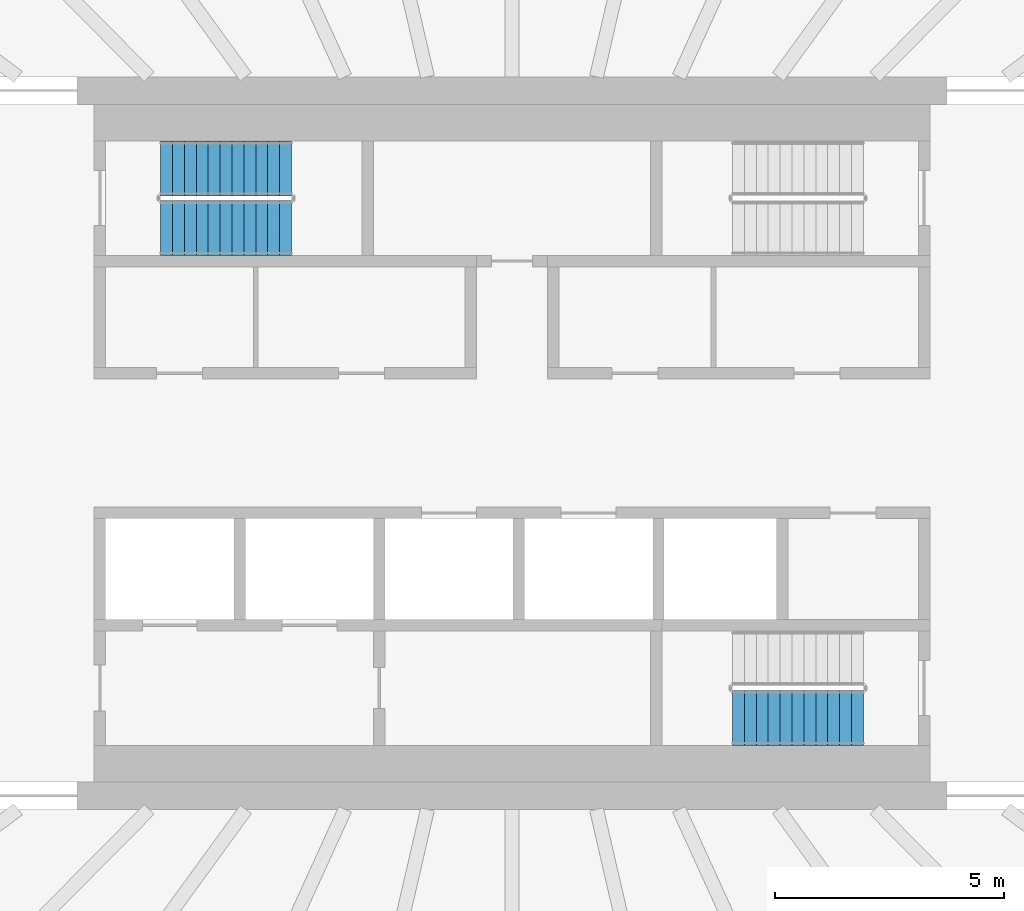
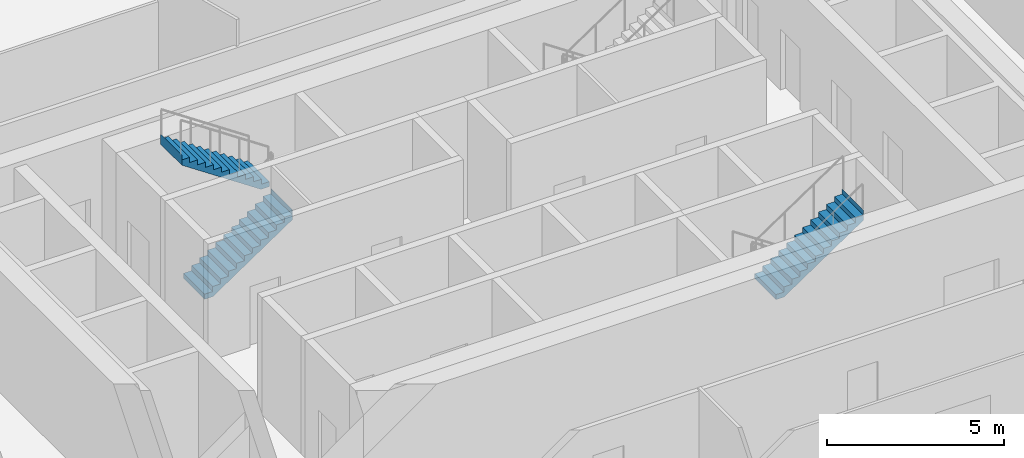
# One storey, part 19 of 26: 3 stair flights, 2 elements without a shape of their own.
"""IFC4 building model written with IfcOpenShell, lengths in metres."""

from ifc_helpers import new_model, si_unit, direction, frame, origin, place, context, subcontext, project, spatial, triangles, material, type_object, element, aggregate, save


model = new_model("IFC4")

# Units and contexts
model_context = context("Model", 3, precision=1e-05, world=origin(), true_north=direction((0.0, 1.0)))
body_context = subcontext(model_context, "Body", "Model", "MODEL_VIEW")
ifc_project = project(units=[si_unit("LENGTHUNIT", "METRE"), si_unit("AREAUNIT", "SQUARE_METRE"), si_unit("VOLUMEUNIT", "CUBIC_METRE"), si_unit("PLANEANGLEUNIT", "RADIAN"), si_unit("MASSUNIT", "GRAM", prefix="KILO")], contexts=[model_context])

# Site, building, storey
site_placement = place(None, origin())
site = spatial("IfcSite", under=ifc_project, at=site_placement, CompositionType="ELEMENT")
building_placement = place(site_placement, origin())
building = spatial("IfcBuilding", under=site, at=building_placement, Name="Sahrelin Media Tower", CompositionType="ELEMENT")
storey_placement = place(building_placement, frame((0.0, 0.0, 131.39990234375)))
storey = spatial("IfcBuildingStorey", under=building, at=storey_placement, Name="L26", CompositionType="ELEMENT", Elevation=131.39990234375)

# Stair, stair flights
ifc_material = material(Name="Concrete C40/50", Category="concrete")
stair_type = type_object("IfcStairType", Name="Exit stair 1200", PredefinedType="HALF_TURN_STAIR", material=ifc_material)
placement = place(storey_placement, origin())
stair_1 = element("IfcStair", 1, at=placement, inside=storey, type_object=stair_type, Name="L26 Exit stair ST1", PredefinedType="HALF_TURN_STAIR")
stair_flight_type = type_object("IfcStairFlightType", Name="Stair flight 1200", PredefinedType="STRAIGHT", material=ifc_material)
stair_flight_1_placement = place(storey_placement, frame((-7.675048828125, 4.699951171875, 0.0), z_axis=(0.0, 0.0, 1.0), x_axis=(1.0, 0.0, 0.0)))
stair_flight_1 = element("IfcStairFlight", 2, at=stair_flight_1_placement, type_object=stair_flight_type, Name="ST1 flight 1", NumberOfRisers=12, NumberOfTreads=11, PredefinedType="STRAIGHT", RiserHeight=0.175, TreadLength=0.26, context=body_context, shape_type="Tessellation", body=[
    triangles([(0.2685546875, 0.60009765625, 0.0), (0.2685546875, 0.300048828125, 0.0), (0.2685546875, 0.0, 0.0), (0.2685546875, -0.300048828125, 0.0), (0.2685546875, -0.60009765625, 0.0), (2.860107421875, 0.60009765625, 1.744384765625), (2.860107421875, 0.300048828125, 1.744384765625), (2.860107421875, 0.0, 1.744384765625), (2.860107421875, -0.300048828125, 1.744384765625), (2.860107421875, -0.60009765625, 1.744384765625), (2.860107421875, 0.60009765625, 2.10009765625), (2.860107421875, 0.300048828125, 2.10009765625), (2.860107421875, 0.0, 2.10009765625), (2.860107421875, -0.300048828125, 2.10009765625), (2.860107421875, -0.60009765625, 2.10009765625), (2.85791015625, 0.60009765625, 2.10009765625), (2.85791015625, 0.300048828125, 2.10009765625), (2.85791015625, 0.0, 2.10009765625), (2.85791015625, -0.300048828125, 2.10009765625), (2.85791015625, -0.60009765625, 2.10009765625), (2.85791015625, 0.60009765625, 1.925048828125), (2.85791015625, 0.300048828125, 1.925048828125), (2.85791015625, 0.0, 1.925048828125), (2.85791015625, -0.300048828125, 1.925048828125), (2.85791015625, -0.60009765625, 1.925048828125), (2.60009765625, 0.60009765625, 1.925048828125), (2.60009765625, 0.300048828125, 1.925048828125), (2.60009765625, 0.0, 1.925048828125), (2.60009765625, -0.300048828125, 1.925048828125), (2.60009765625, -0.60009765625, 1.925048828125), (2.60009765625, 0.60009765625, 1.75), (2.60009765625, 0.300048828125, 1.75), (2.60009765625, 0.0, 1.75), (2.60009765625, -0.300048828125, 1.75), (2.60009765625, -0.60009765625, 1.75), (2.340087890625, 0.60009765625, 1.75), (2.340087890625, 0.300048828125, 1.75), (2.340087890625, 0.0, 1.75), (2.340087890625, -0.300048828125, 1.75), (2.340087890625, -0.60009765625, 1.75), (2.340087890625, 0.60009765625, 1.574951171875), (2.340087890625, 0.300048828125, 1.574951171875), (2.340087890625, 0.0, 1.574951171875), (2.340087890625, -0.300048828125, 1.574951171875), (2.340087890625, -0.60009765625, 1.574951171875), (2.080078125, 0.60009765625, 1.574951171875), (2.080078125, 0.300048828125, 1.574951171875), (2.080078125, 0.0, 1.574951171875), (2.080078125, -0.300048828125, 1.574951171875), (2.080078125, -0.60009765625, 1.574951171875), (2.080078125, 0.60009765625, 1.39990234375), (2.080078125, 0.300048828125, 1.39990234375), (2.080078125, 0.0, 1.39990234375), (2.080078125, -0.300048828125, 1.39990234375), (2.080078125, -0.60009765625, 1.39990234375), (1.820068359375, 0.60009765625, 1.39990234375), (1.820068359375, 0.300048828125, 1.39990234375), (1.820068359375, 0.0, 1.39990234375), (1.820068359375, -0.300048828125, 1.39990234375), (1.820068359375, -0.60009765625, 1.39990234375), (1.820068359375, 0.60009765625, 1.22509765625), (1.820068359375, 0.300048828125, 1.22509765625), (1.820068359375, 0.0, 1.22509765625), (1.820068359375, -0.300048828125, 1.22509765625), (1.820068359375, -0.60009765625, 1.22509765625), (1.56005859375, 0.60009765625, 1.22509765625), (1.56005859375, 0.300048828125, 1.22509765625), (1.56005859375, 0.0, 1.22509765625), (1.56005859375, -0.300048828125, 1.22509765625), (1.56005859375, -0.60009765625, 1.22509765625), (1.56005859375, 0.60009765625, 1.050048828125), (1.56005859375, 0.300048828125, 1.050048828125), (1.56005859375, 0.0, 1.050048828125), (1.56005859375, -0.300048828125, 1.050048828125), (1.56005859375, -0.60009765625, 1.050048828125), (1.300048828125, 0.60009765625, 1.050048828125), (1.300048828125, 0.300048828125, 1.050048828125), (1.300048828125, 0.0, 1.050048828125), (1.300048828125, -0.300048828125, 1.050048828125), (1.300048828125, -0.60009765625, 1.050048828125), (1.300048828125, 0.60009765625, 0.875), (1.300048828125, 0.300048828125, 0.875), (1.300048828125, 0.0, 0.875), (1.300048828125, -0.300048828125, 0.875), (1.300048828125, -0.60009765625, 0.875), (1.0400390625, 0.60009765625, 0.875), (1.0400390625, 0.300048828125, 0.875), (1.0400390625, 0.0, 0.875), (1.0400390625, -0.300048828125, 0.875), (1.0400390625, -0.60009765625, 0.875), (1.0400390625, 0.60009765625, 0.699951171875), (1.0400390625, 0.300048828125, 0.699951171875), (1.0400390625, 0.0, 0.699951171875), (1.0400390625, -0.300048828125, 0.699951171875), (1.0400390625, -0.60009765625, 0.699951171875), (0.780029296875, 0.60009765625, 0.699951171875), (0.780029296875, 0.300048828125, 0.699951171875), (0.780029296875, 0.0, 0.699951171875), (0.780029296875, -0.300048828125, 0.699951171875), (0.780029296875, -0.60009765625, 0.699951171875), (0.780029296875, 0.60009765625, 0.52490234375), (0.780029296875, 0.300048828125, 0.52490234375), (0.780029296875, 0.0, 0.52490234375), (0.780029296875, -0.300048828125, 0.52490234375), (0.780029296875, -0.60009765625, 0.52490234375), (0.52001953125, 0.60009765625, 0.52490234375), (0.52001953125, 0.300048828125, 0.52490234375), (0.52001953125, 0.0, 0.52490234375), (0.52001953125, -0.300048828125, 0.52490234375), (0.52001953125, -0.60009765625, 0.52490234375), (0.52001953125, 0.60009765625, 0.35009765625), (0.52001953125, 0.300048828125, 0.35009765625), (0.52001953125, 0.0, 0.35009765625), (0.52001953125, -0.300048828125, 0.35009765625), (0.52001953125, -0.60009765625, 0.35009765625), (0.260009765625, 0.60009765625, 0.35009765625), (0.260009765625, 0.300048828125, 0.35009765625), (0.260009765625, 0.0, 0.35009765625), (0.260009765625, -0.300048828125, 0.35009765625), (0.260009765625, -0.60009765625, 0.35009765625), (0.260009765625, 0.60009765625, 0.175048828125), (0.260009765625, 0.300048828125, 0.175048828125), (0.260009765625, 0.0, 0.175048828125), (0.260009765625, -0.300048828125, 0.175048828125), (0.260009765625, -0.60009765625, 0.175048828125), (0.0, 0.60009765625, 0.175048828125), (0.0, 0.300048828125, 0.175048828125), (0.0, 0.0, 0.175048828125), (0.0, -0.300048828125, 0.175048828125), (0.0, -0.60009765625, 0.175048828125), (0.0, 0.60009765625, 0.0), (0.0, 0.300048828125, 0.0), (0.0, 0.0, 0.0), (0.0, -0.300048828125, 0.0), (0.0, -0.60009765625, 0.0)], [[1, 6, 7], [1, 7, 2], [2, 7, 8], [2, 8, 3], [3, 8, 9], [3, 9, 4], [4, 9, 10], [4, 10, 5], [6, 11, 12], [6, 12, 7], [7, 12, 13], [7, 13, 8], [8, 13, 14], [8, 14, 9], [9, 14, 15], [9, 15, 10], [11, 16, 17], [11, 17, 12], [12, 17, 18], [12, 18, 13], [13, 18, 19], [13, 19, 14], [14, 19, 20], [14, 20, 15], [16, 21, 22], [16, 22, 17], [17, 22, 23], [17, 23, 18], [18, 23, 24], [18, 24, 19], [19, 24, 25], [19, 25, 20], [21, 26, 27], [21, 27, 22], [22, 27, 28], [22, 28, 23], [23, 28, 29], [23, 29, 24], [24, 29, 30], [24, 30, 25], [26, 31, 32], [26, 32, 27], [27, 32, 33], [27, 33, 28], [28, 33, 34], [28, 34, 29], [29, 34, 35], [29, 35, 30], [31, 36, 37], [31, 37, 32], [32, 37, 38], [32, 38, 33], [33, 38, 39], [33, 39, 34], [34, 39, 40], [34, 40, 35], [36, 41, 42], [36, 42, 37], [37, 42, 43], [37, 43, 38], [38, 43, 44], [38, 44, 39], [39, 44, 45], [39, 45, 40], [41, 46, 47], [41, 47, 42], [42, 47, 48], [42, 48, 43], [43, 48, 49], [43, 49, 44], [44, 49, 50], [44, 50, 45], [46, 51, 52], [46, 52, 47], [47, 52, 53], [47, 53, 48], [48, 53, 54], [48, 54, 49], [49, 54, 55], [49, 55, 50], [51, 56, 57], [51, 57, 52], [52, 57, 58], [52, 58, 53], [53, 58, 59], [53, 59, 54], [54, 59, 60], [54, 60, 55], [56, 61, 62], [56, 62, 57], [57, 62, 63], [57, 63, 58], [58, 63, 64], [58, 64, 59], [59, 64, 65], [59, 65, 60], [61, 66, 67], [61, 67, 62], [62, 67, 68], [62, 68, 63], [63, 68, 69], [63, 69, 64], [64, 69, 70], [64, 70, 65], [66, 71, 72], [66, 72, 67], [67, 72, 73], [67, 73, 68], [68, 73, 74], [68, 74, 69], [69, 74, 75], [69, 75, 70], [71, 76, 77], [71, 77, 72], [72, 77, 78], [72, 78, 73], [73, 78, 79], [73, 79, 74], [74, 79, 80], [74, 80, 75], [76, 81, 82], [76, 82, 77], [77, 82, 83], [77, 83, 78], [78, 83, 84], [78, 84, 79], [79, 84, 85], [79, 85, 80], [81, 86, 87], [81, 87, 82], [82, 87, 88], [82, 88, 83], [83, 88, 89], [83, 89, 84], [84, 89, 90], [84, 90, 85], [86, 91, 92], [86, 92, 87], [87, 92, 93], [87, 93, 88], [88, 93, 94], [88, 94, 89], [89, 94, 95], [89, 95, 90], [91, 96, 97], [91, 97, 92], [92, 97, 98], [92, 98, 93], [93, 98, 99], [93, 99, 94], [94, 99, 100], [94, 100, 95], [96, 101, 102], [96, 102, 97], [97, 102, 103], [97, 103, 98], [98, 103, 104], [98, 104, 99], [99, 104, 105], [99, 105, 100], [101, 106, 107], [101, 107, 102], [102, 107, 108], [102, 108, 103], [103, 108, 109], [103, 109, 104], [104, 109, 110], [104, 110, 105], [106, 111, 112], [106, 112, 107], [107, 112, 113], [107, 113, 108], [108, 113, 114], [108, 114, 109], [109, 114, 115], [109, 115, 110], [111, 116, 117], [111, 117, 112], [112, 117, 118], [112, 118, 113], [113, 118, 119], [113, 119, 114], [114, 119, 120], [114, 120, 115], [116, 121, 122], [116, 122, 117], [117, 122, 123], [117, 123, 118], [118, 123, 124], [118, 124, 119], [119, 124, 125], [119, 125, 120], [121, 126, 127], [121, 127, 122], [122, 127, 128], [122, 128, 123], [123, 128, 129], [123, 129, 124], [124, 129, 130], [124, 130, 125], [126, 131, 132], [126, 132, 127], [127, 132, 133], [127, 133, 128], [128, 133, 134], [128, 134, 129], [129, 134, 135], [129, 135, 130], [131, 1, 2], [131, 2, 132], [132, 2, 3], [132, 3, 133], [133, 3, 4], [133, 4, 134], [134, 4, 5], [134, 5, 135], [125, 130, 135], [121, 131, 126], [125, 115, 120], [121, 116, 111], [115, 105, 110], [111, 106, 101], [105, 95, 100], [101, 96, 91], [95, 85, 90], [91, 86, 81], [85, 75, 80], [81, 76, 71], [75, 65, 70], [71, 66, 61], [65, 55, 60], [61, 56, 51], [55, 45, 50], [51, 46, 41], [45, 35, 40], [41, 36, 31], [35, 25, 30], [31, 26, 21], [25, 15, 20], [21, 16, 11], [135, 5, 125], [131, 121, 1], [95, 105, 5], [91, 1, 101], [5, 10, 75], [1, 71, 6], [10, 35, 45], [6, 41, 31], [25, 10, 15], [21, 11, 6], [115, 125, 5], [111, 1, 121], [75, 85, 5], [71, 1, 81], [35, 10, 25], [31, 21, 6], [105, 115, 5], [101, 1, 111], [45, 55, 10], [41, 6, 51], [85, 95, 5], [81, 1, 91], [65, 10, 55], [61, 51, 6], [10, 65, 75], [6, 71, 61]], closed=True),
])
stair_flight_2_placement = place(storey_placement, frame((-4.81494140625, 6.0, 2.10009765625), z_axis=(0.0, 0.0, 1.0), x_axis=(-1.0, 0.0, 0.0)))
stair_flight_2 = element("IfcStairFlight", 3, at=stair_flight_2_placement, type_object=stair_flight_type, Name="ST1 flight 2", NumberOfRisers=12, NumberOfTreads=11, PredefinedType="STRAIGHT", RiserHeight=0.175, TreadLength=0.26, context=body_context, shape_type="Tessellation", body=[
    triangles([(0.2685546875, 0.60009765625, 0.0), (0.2685546875, 0.300048828125, 0.0), (0.2685546875, 0.0, 0.0), (0.2685546875, -0.300048828125, 0.0), (0.2685546875, -0.60009765625, 0.0), (2.860107421875, 0.60009765625, 1.744384765625), (2.860107421875, 0.300048828125, 1.744384765625), (2.860107421875, 0.0, 1.744384765625), (2.860107421875, -0.300048828125, 1.744384765625), (2.860107421875, -0.60009765625, 1.744384765625), (2.860107421875, 0.60009765625, 2.10009765625), (2.860107421875, 0.300048828125, 2.10009765625), (2.860107421875, 0.0, 2.10009765625), (2.860107421875, -0.300048828125, 2.10009765625), (2.860107421875, -0.60009765625, 2.10009765625), (2.85791015625, 0.60009765625, 2.10009765625), (2.85791015625, 0.300048828125, 2.10009765625), (2.85791015625, 0.0, 2.10009765625), (2.85791015625, -0.300048828125, 2.10009765625), (2.85791015625, -0.60009765625, 2.10009765625), (2.85791015625, 0.60009765625, 1.925048828125), (2.85791015625, 0.300048828125, 1.925048828125), (2.85791015625, 0.0, 1.925048828125), (2.85791015625, -0.300048828125, 1.925048828125), (2.85791015625, -0.60009765625, 1.925048828125), (2.60009765625, 0.60009765625, 1.925048828125), (2.60009765625, 0.300048828125, 1.925048828125), (2.60009765625, 0.0, 1.925048828125), (2.60009765625, -0.300048828125, 1.925048828125), (2.60009765625, -0.60009765625, 1.925048828125), (2.60009765625, 0.60009765625, 1.75), (2.60009765625, 0.300048828125, 1.75), (2.60009765625, 0.0, 1.75), (2.60009765625, -0.300048828125, 1.75), (2.60009765625, -0.60009765625, 1.75), (2.340087890625, 0.60009765625, 1.75), (2.340087890625, 0.300048828125, 1.75), (2.340087890625, 0.0, 1.75), (2.340087890625, -0.300048828125, 1.75), (2.340087890625, -0.60009765625, 1.75), (2.340087890625, 0.60009765625, 1.574951171875), (2.340087890625, 0.300048828125, 1.574951171875), (2.340087890625, 0.0, 1.574951171875), (2.340087890625, -0.300048828125, 1.574951171875), (2.340087890625, -0.60009765625, 1.574951171875), (2.080078125, 0.60009765625, 1.574951171875), (2.080078125, 0.300048828125, 1.574951171875), (2.080078125, 0.0, 1.574951171875), (2.080078125, -0.300048828125, 1.574951171875), (2.080078125, -0.60009765625, 1.574951171875), (2.080078125, 0.60009765625, 1.39990234375), (2.080078125, 0.300048828125, 1.39990234375), (2.080078125, 0.0, 1.39990234375), (2.080078125, -0.300048828125, 1.39990234375), (2.080078125, -0.60009765625, 1.39990234375), (1.820068359375, 0.60009765625, 1.39990234375), (1.820068359375, 0.300048828125, 1.39990234375), (1.820068359375, 0.0, 1.39990234375), (1.820068359375, -0.300048828125, 1.39990234375), (1.820068359375, -0.60009765625, 1.39990234375), (1.820068359375, 0.60009765625, 1.22509765625), (1.820068359375, 0.300048828125, 1.22509765625), (1.820068359375, 0.0, 1.22509765625), (1.820068359375, -0.300048828125, 1.22509765625), (1.820068359375, -0.60009765625, 1.22509765625), (1.56005859375, 0.60009765625, 1.22509765625), (1.56005859375, 0.300048828125, 1.22509765625), (1.56005859375, 0.0, 1.22509765625), (1.56005859375, -0.300048828125, 1.22509765625), (1.56005859375, -0.60009765625, 1.22509765625), (1.56005859375, 0.60009765625, 1.050048828125), (1.56005859375, 0.300048828125, 1.050048828125), (1.56005859375, 0.0, 1.050048828125), (1.56005859375, -0.300048828125, 1.050048828125), (1.56005859375, -0.60009765625, 1.050048828125), (1.300048828125, 0.60009765625, 1.050048828125), (1.300048828125, 0.300048828125, 1.050048828125), (1.300048828125, 0.0, 1.050048828125), (1.300048828125, -0.300048828125, 1.050048828125), (1.300048828125, -0.60009765625, 1.050048828125), (1.300048828125, 0.60009765625, 0.875), (1.300048828125, 0.300048828125, 0.875), (1.300048828125, 0.0, 0.875), (1.300048828125, -0.300048828125, 0.875), (1.300048828125, -0.60009765625, 0.875), (1.0400390625, 0.60009765625, 0.875), (1.0400390625, 0.300048828125, 0.875), (1.0400390625, 0.0, 0.875), (1.0400390625, -0.300048828125, 0.875), (1.0400390625, -0.60009765625, 0.875), (1.0400390625, 0.60009765625, 0.699951171875), (1.0400390625, 0.300048828125, 0.699951171875), (1.0400390625, 0.0, 0.699951171875), (1.0400390625, -0.300048828125, 0.699951171875), (1.0400390625, -0.60009765625, 0.699951171875), (0.780029296875, 0.60009765625, 0.699951171875), (0.780029296875, 0.300048828125, 0.699951171875), (0.780029296875, 0.0, 0.699951171875), (0.780029296875, -0.300048828125, 0.699951171875), (0.780029296875, -0.60009765625, 0.699951171875), (0.780029296875, 0.60009765625, 0.52490234375), (0.780029296875, 0.300048828125, 0.52490234375), (0.780029296875, 0.0, 0.52490234375), (0.780029296875, -0.300048828125, 0.52490234375), (0.780029296875, -0.60009765625, 0.52490234375), (0.52001953125, 0.60009765625, 0.52490234375), (0.52001953125, 0.300048828125, 0.52490234375), (0.52001953125, 0.0, 0.52490234375), (0.52001953125, -0.300048828125, 0.52490234375), (0.52001953125, -0.60009765625, 0.52490234375), (0.52001953125, 0.60009765625, 0.35009765625), (0.52001953125, 0.300048828125, 0.35009765625), (0.52001953125, 0.0, 0.35009765625), (0.52001953125, -0.300048828125, 0.35009765625), (0.52001953125, -0.60009765625, 0.35009765625), (0.260009765625, 0.60009765625, 0.35009765625), (0.260009765625, 0.300048828125, 0.35009765625), (0.260009765625, 0.0, 0.35009765625), (0.260009765625, -0.300048828125, 0.35009765625), (0.260009765625, -0.60009765625, 0.35009765625), (0.260009765625, 0.60009765625, 0.175048828125), (0.260009765625, 0.300048828125, 0.175048828125), (0.260009765625, 0.0, 0.175048828125), (0.260009765625, -0.300048828125, 0.175048828125), (0.260009765625, -0.60009765625, 0.175048828125), (0.0, 0.60009765625, 0.175048828125), (0.0, 0.300048828125, 0.175048828125), (0.0, 0.0, 0.175048828125), (0.0, -0.300048828125, 0.175048828125), (0.0, -0.60009765625, 0.175048828125), (0.0, 0.60009765625, 0.0), (0.0, 0.300048828125, 0.0), (0.0, 0.0, 0.0), (0.0, -0.300048828125, 0.0), (0.0, -0.60009765625, 0.0)], [[1, 6, 7], [1, 7, 2], [2, 7, 8], [2, 8, 3], [3, 8, 9], [3, 9, 4], [4, 9, 10], [4, 10, 5], [6, 11, 12], [6, 12, 7], [7, 12, 13], [7, 13, 8], [8, 13, 14], [8, 14, 9], [9, 14, 15], [9, 15, 10], [11, 16, 17], [11, 17, 12], [12, 17, 18], [12, 18, 13], [13, 18, 19], [13, 19, 14], [14, 19, 20], [14, 20, 15], [16, 21, 22], [16, 22, 17], [17, 22, 23], [17, 23, 18], [18, 23, 24], [18, 24, 19], [19, 24, 25], [19, 25, 20], [21, 26, 27], [21, 27, 22], [22, 27, 28], [22, 28, 23], [23, 28, 29], [23, 29, 24], [24, 29, 30], [24, 30, 25], [26, 31, 32], [26, 32, 27], [27, 32, 33], [27, 33, 28], [28, 33, 34], [28, 34, 29], [29, 34, 35], [29, 35, 30], [31, 36, 37], [31, 37, 32], [32, 37, 38], [32, 38, 33], [33, 38, 39], [33, 39, 34], [34, 39, 40], [34, 40, 35], [36, 41, 42], [36, 42, 37], [37, 42, 43], [37, 43, 38], [38, 43, 44], [38, 44, 39], [39, 44, 45], [39, 45, 40], [41, 46, 47], [41, 47, 42], [42, 47, 48], [42, 48, 43], [43, 48, 49], [43, 49, 44], [44, 49, 50], [44, 50, 45], [46, 51, 52], [46, 52, 47], [47, 52, 53], [47, 53, 48], [48, 53, 54], [48, 54, 49], [49, 54, 55], [49, 55, 50], [51, 56, 57], [51, 57, 52], [52, 57, 58], [52, 58, 53], [53, 58, 59], [53, 59, 54], [54, 59, 60], [54, 60, 55], [56, 61, 62], [56, 62, 57], [57, 62, 63], [57, 63, 58], [58, 63, 64], [58, 64, 59], [59, 64, 65], [59, 65, 60], [61, 66, 67], [61, 67, 62], [62, 67, 68], [62, 68, 63], [63, 68, 69], [63, 69, 64], [64, 69, 70], [64, 70, 65], [66, 71, 72], [66, 72, 67], [67, 72, 73], [67, 73, 68], [68, 73, 74], [68, 74, 69], [69, 74, 75], [69, 75, 70], [71, 76, 77], [71, 77, 72], [72, 77, 78], [72, 78, 73], [73, 78, 79], [73, 79, 74], [74, 79, 80], [74, 80, 75], [76, 81, 82], [76, 82, 77], [77, 82, 83], [77, 83, 78], [78, 83, 84], [78, 84, 79], [79, 84, 85], [79, 85, 80], [81, 86, 87], [81, 87, 82], [82, 87, 88], [82, 88, 83], [83, 88, 89], [83, 89, 84], [84, 89, 90], [84, 90, 85], [86, 91, 92], [86, 92, 87], [87, 92, 93], [87, 93, 88], [88, 93, 94], [88, 94, 89], [89, 94, 95], [89, 95, 90], [91, 96, 97], [91, 97, 92], [92, 97, 98], [92, 98, 93], [93, 98, 99], [93, 99, 94], [94, 99, 100], [94, 100, 95], [96, 101, 102], [96, 102, 97], [97, 102, 103], [97, 103, 98], [98, 103, 104], [98, 104, 99], [99, 104, 105], [99, 105, 100], [101, 106, 107], [101, 107, 102], [102, 107, 108], [102, 108, 103], [103, 108, 109], [103, 109, 104], [104, 109, 110], [104, 110, 105], [106, 111, 112], [106, 112, 107], [107, 112, 113], [107, 113, 108], [108, 113, 114], [108, 114, 109], [109, 114, 115], [109, 115, 110], [111, 116, 117], [111, 117, 112], [112, 117, 118], [112, 118, 113], [113, 118, 119], [113, 119, 114], [114, 119, 120], [114, 120, 115], [116, 121, 122], [116, 122, 117], [117, 122, 123], [117, 123, 118], [118, 123, 124], [118, 124, 119], [119, 124, 125], [119, 125, 120], [121, 126, 127], [121, 127, 122], [122, 127, 128], [122, 128, 123], [123, 128, 129], [123, 129, 124], [124, 129, 130], [124, 130, 125], [126, 131, 132], [126, 132, 127], [127, 132, 133], [127, 133, 128], [128, 133, 134], [128, 134, 129], [129, 134, 135], [129, 135, 130], [131, 1, 2], [131, 2, 132], [132, 2, 3], [132, 3, 133], [133, 3, 4], [133, 4, 134], [134, 4, 5], [134, 5, 135], [125, 130, 135], [121, 131, 126], [125, 115, 120], [121, 116, 111], [115, 105, 110], [111, 106, 101], [105, 95, 100], [101, 96, 91], [95, 85, 90], [91, 86, 81], [85, 75, 80], [81, 76, 71], [75, 65, 70], [71, 66, 61], [65, 55, 60], [61, 56, 51], [55, 45, 50], [51, 46, 41], [45, 35, 40], [41, 36, 31], [35, 25, 30], [31, 26, 21], [25, 15, 20], [21, 16, 11], [135, 5, 125], [131, 121, 1], [95, 105, 5], [91, 1, 101], [5, 10, 75], [1, 71, 6], [10, 35, 45], [6, 41, 31], [25, 10, 15], [21, 11, 6], [115, 125, 5], [111, 1, 121], [75, 85, 5], [71, 1, 81], [35, 10, 25], [31, 21, 6], [105, 115, 5], [101, 1, 111], [45, 55, 10], [41, 6, 51], [85, 95, 5], [81, 1, 91], [65, 10, 55], [61, 51, 6], [10, 65, 75], [6, 71, 61]], closed=True),
])
aggregate(stair_1, [stair_flight_1, stair_flight_2])

# Stair, stair flight
stair_2 = element("IfcStair", 4, at=placement, inside=storey, type_object=stair_type, Name="L26 Exit stair ST2", PredefinedType="HALF_TURN_STAIR")
stair_flight_3_placement = place(storey_placement, frame((4.81494140625, -6.0, 2.10009765625), z_axis=(0.0, 0.0, 1.0), x_axis=(1.0, 0.0, 0.0)))
stair_flight_3 = element("IfcStairFlight", 5, at=stair_flight_3_placement, type_object=stair_flight_type, Name="ST2 flight 2", NumberOfRisers=12, NumberOfTreads=11, PredefinedType="STRAIGHT", RiserHeight=0.175, TreadLength=0.26, context=body_context, shape_type="Tessellation", body=[
    triangles([(0.2685546875, 0.60009765625, 0.0), (0.2685546875, 0.300048828125, 0.0), (0.2685546875, 0.0, 0.0), (0.2685546875, -0.300048828125, 0.0), (0.2685546875, -0.60009765625, 0.0), (2.860107421875, 0.60009765625, 1.744384765625), (2.860107421875, 0.300048828125, 1.744384765625), (2.860107421875, 0.0, 1.744384765625), (2.860107421875, -0.300048828125, 1.744384765625), (2.860107421875, -0.60009765625, 1.744384765625), (2.860107421875, 0.60009765625, 2.10009765625), (2.860107421875, 0.300048828125, 2.10009765625), (2.860107421875, 0.0, 2.10009765625), (2.860107421875, -0.300048828125, 2.10009765625), (2.860107421875, -0.60009765625, 2.10009765625), (2.85791015625, 0.60009765625, 2.10009765625), (2.85791015625, 0.300048828125, 2.10009765625), (2.85791015625, 0.0, 2.10009765625), (2.85791015625, -0.300048828125, 2.10009765625), (2.85791015625, -0.60009765625, 2.10009765625), (2.85791015625, 0.60009765625, 1.925048828125), (2.85791015625, 0.300048828125, 1.925048828125), (2.85791015625, 0.0, 1.925048828125), (2.85791015625, -0.300048828125, 1.925048828125), (2.85791015625, -0.60009765625, 1.925048828125), (2.60009765625, 0.60009765625, 1.925048828125), (2.60009765625, 0.300048828125, 1.925048828125), (2.60009765625, 0.0, 1.925048828125), (2.60009765625, -0.300048828125, 1.925048828125), (2.60009765625, -0.60009765625, 1.925048828125), (2.60009765625, 0.60009765625, 1.75), (2.60009765625, 0.300048828125, 1.75), (2.60009765625, 0.0, 1.75), (2.60009765625, -0.300048828125, 1.75), (2.60009765625, -0.60009765625, 1.75), (2.340087890625, 0.60009765625, 1.75), (2.340087890625, 0.300048828125, 1.75), (2.340087890625, 0.0, 1.75), (2.340087890625, -0.300048828125, 1.75), (2.340087890625, -0.60009765625, 1.75), (2.340087890625, 0.60009765625, 1.574951171875), (2.340087890625, 0.300048828125, 1.574951171875), (2.340087890625, 0.0, 1.574951171875), (2.340087890625, -0.300048828125, 1.574951171875), (2.340087890625, -0.60009765625, 1.574951171875), (2.080078125, 0.60009765625, 1.574951171875), (2.080078125, 0.300048828125, 1.574951171875), (2.080078125, 0.0, 1.574951171875), (2.080078125, -0.300048828125, 1.574951171875), (2.080078125, -0.60009765625, 1.574951171875), (2.080078125, 0.60009765625, 1.39990234375), (2.080078125, 0.300048828125, 1.39990234375), (2.080078125, 0.0, 1.39990234375), (2.080078125, -0.300048828125, 1.39990234375), (2.080078125, -0.60009765625, 1.39990234375), (1.820068359375, 0.60009765625, 1.39990234375), (1.820068359375, 0.300048828125, 1.39990234375), (1.820068359375, 0.0, 1.39990234375), (1.820068359375, -0.300048828125, 1.39990234375), (1.820068359375, -0.60009765625, 1.39990234375), (1.820068359375, 0.60009765625, 1.22509765625), (1.820068359375, 0.300048828125, 1.22509765625), (1.820068359375, 0.0, 1.22509765625), (1.820068359375, -0.300048828125, 1.22509765625), (1.820068359375, -0.60009765625, 1.22509765625), (1.56005859375, 0.60009765625, 1.22509765625), (1.56005859375, 0.300048828125, 1.22509765625), (1.56005859375, 0.0, 1.22509765625), (1.56005859375, -0.300048828125, 1.22509765625), (1.56005859375, -0.60009765625, 1.22509765625), (1.56005859375, 0.60009765625, 1.050048828125), (1.56005859375, 0.300048828125, 1.050048828125), (1.56005859375, 0.0, 1.050048828125), (1.56005859375, -0.300048828125, 1.050048828125), (1.56005859375, -0.60009765625, 1.050048828125), (1.300048828125, 0.60009765625, 1.050048828125), (1.300048828125, 0.300048828125, 1.050048828125), (1.300048828125, 0.0, 1.050048828125), (1.300048828125, -0.300048828125, 1.050048828125), (1.300048828125, -0.60009765625, 1.050048828125), (1.300048828125, 0.60009765625, 0.875), (1.300048828125, 0.300048828125, 0.875), (1.300048828125, 0.0, 0.875), (1.300048828125, -0.300048828125, 0.875), (1.300048828125, -0.60009765625, 0.875), (1.0400390625, 0.60009765625, 0.875), (1.0400390625, 0.300048828125, 0.875), (1.0400390625, 0.0, 0.875), (1.0400390625, -0.300048828125, 0.875), (1.0400390625, -0.60009765625, 0.875), (1.0400390625, 0.60009765625, 0.699951171875), (1.0400390625, 0.300048828125, 0.699951171875), (1.0400390625, 0.0, 0.699951171875), (1.0400390625, -0.300048828125, 0.699951171875), (1.0400390625, -0.60009765625, 0.699951171875), (0.780029296875, 0.60009765625, 0.699951171875), (0.780029296875, 0.300048828125, 0.699951171875), (0.780029296875, 0.0, 0.699951171875), (0.780029296875, -0.300048828125, 0.699951171875), (0.780029296875, -0.60009765625, 0.699951171875), (0.780029296875, 0.60009765625, 0.52490234375), (0.780029296875, 0.300048828125, 0.52490234375), (0.780029296875, 0.0, 0.52490234375), (0.780029296875, -0.300048828125, 0.52490234375), (0.780029296875, -0.60009765625, 0.52490234375), (0.52001953125, 0.60009765625, 0.52490234375), (0.52001953125, 0.300048828125, 0.52490234375), (0.52001953125, 0.0, 0.52490234375), (0.52001953125, -0.300048828125, 0.52490234375), (0.52001953125, -0.60009765625, 0.52490234375), (0.52001953125, 0.60009765625, 0.35009765625), (0.52001953125, 0.300048828125, 0.35009765625), (0.52001953125, 0.0, 0.35009765625), (0.52001953125, -0.300048828125, 0.35009765625), (0.52001953125, -0.60009765625, 0.35009765625), (0.260009765625, 0.60009765625, 0.35009765625), (0.260009765625, 0.300048828125, 0.35009765625), (0.260009765625, 0.0, 0.35009765625), (0.260009765625, -0.300048828125, 0.35009765625), (0.260009765625, -0.60009765625, 0.35009765625), (0.260009765625, 0.60009765625, 0.175048828125), (0.260009765625, 0.300048828125, 0.175048828125), (0.260009765625, 0.0, 0.175048828125), (0.260009765625, -0.300048828125, 0.175048828125), (0.260009765625, -0.60009765625, 0.175048828125), (0.0, 0.60009765625, 0.175048828125), (0.0, 0.300048828125, 0.175048828125), (0.0, 0.0, 0.175048828125), (0.0, -0.300048828125, 0.175048828125), (0.0, -0.60009765625, 0.175048828125), (0.0, 0.60009765625, 0.0), (0.0, 0.300048828125, 0.0), (0.0, 0.0, 0.0), (0.0, -0.300048828125, 0.0), (0.0, -0.60009765625, 0.0)], [[1, 6, 7], [1, 7, 2], [2, 7, 8], [2, 8, 3], [3, 8, 9], [3, 9, 4], [4, 9, 10], [4, 10, 5], [6, 11, 12], [6, 12, 7], [7, 12, 13], [7, 13, 8], [8, 13, 14], [8, 14, 9], [9, 14, 15], [9, 15, 10], [11, 16, 17], [11, 17, 12], [12, 17, 18], [12, 18, 13], [13, 18, 19], [13, 19, 14], [14, 19, 20], [14, 20, 15], [16, 21, 22], [16, 22, 17], [17, 22, 23], [17, 23, 18], [18, 23, 24], [18, 24, 19], [19, 24, 25], [19, 25, 20], [21, 26, 27], [21, 27, 22], [22, 27, 28], [22, 28, 23], [23, 28, 29], [23, 29, 24], [24, 29, 30], [24, 30, 25], [26, 31, 32], [26, 32, 27], [27, 32, 33], [27, 33, 28], [28, 33, 34], [28, 34, 29], [29, 34, 35], [29, 35, 30], [31, 36, 37], [31, 37, 32], [32, 37, 38], [32, 38, 33], [33, 38, 39], [33, 39, 34], [34, 39, 40], [34, 40, 35], [36, 41, 42], [36, 42, 37], [37, 42, 43], [37, 43, 38], [38, 43, 44], [38, 44, 39], [39, 44, 45], [39, 45, 40], [41, 46, 47], [41, 47, 42], [42, 47, 48], [42, 48, 43], [43, 48, 49], [43, 49, 44], [44, 49, 50], [44, 50, 45], [46, 51, 52], [46, 52, 47], [47, 52, 53], [47, 53, 48], [48, 53, 54], [48, 54, 49], [49, 54, 55], [49, 55, 50], [51, 56, 57], [51, 57, 52], [52, 57, 58], [52, 58, 53], [53, 58, 59], [53, 59, 54], [54, 59, 60], [54, 60, 55], [56, 61, 62], [56, 62, 57], [57, 62, 63], [57, 63, 58], [58, 63, 64], [58, 64, 59], [59, 64, 65], [59, 65, 60], [61, 66, 67], [61, 67, 62], [62, 67, 68], [62, 68, 63], [63, 68, 69], [63, 69, 64], [64, 69, 70], [64, 70, 65], [66, 71, 72], [66, 72, 67], [67, 72, 73], [67, 73, 68], [68, 73, 74], [68, 74, 69], [69, 74, 75], [69, 75, 70], [71, 76, 77], [71, 77, 72], [72, 77, 78], [72, 78, 73], [73, 78, 79], [73, 79, 74], [74, 79, 80], [74, 80, 75], [76, 81, 82], [76, 82, 77], [77, 82, 83], [77, 83, 78], [78, 83, 84], [78, 84, 79], [79, 84, 85], [79, 85, 80], [81, 86, 87], [81, 87, 82], [82, 87, 88], [82, 88, 83], [83, 88, 89], [83, 89, 84], [84, 89, 90], [84, 90, 85], [86, 91, 92], [86, 92, 87], [87, 92, 93], [87, 93, 88], [88, 93, 94], [88, 94, 89], [89, 94, 95], [89, 95, 90], [91, 96, 97], [91, 97, 92], [92, 97, 98], [92, 98, 93], [93, 98, 99], [93, 99, 94], [94, 99, 100], [94, 100, 95], [96, 101, 102], [96, 102, 97], [97, 102, 103], [97, 103, 98], [98, 103, 104], [98, 104, 99], [99, 104, 105], [99, 105, 100], [101, 106, 107], [101, 107, 102], [102, 107, 108], [102, 108, 103], [103, 108, 109], [103, 109, 104], [104, 109, 110], [104, 110, 105], [106, 111, 112], [106, 112, 107], [107, 112, 113], [107, 113, 108], [108, 113, 114], [108, 114, 109], [109, 114, 115], [109, 115, 110], [111, 116, 117], [111, 117, 112], [112, 117, 118], [112, 118, 113], [113, 118, 119], [113, 119, 114], [114, 119, 120], [114, 120, 115], [116, 121, 122], [116, 122, 117], [117, 122, 123], [117, 123, 118], [118, 123, 124], [118, 124, 119], [119, 124, 125], [119, 125, 120], [121, 126, 127], [121, 127, 122], [122, 127, 128], [122, 128, 123], [123, 128, 129], [123, 129, 124], [124, 129, 130], [124, 130, 125], [126, 131, 132], [126, 132, 127], [127, 132, 133], [127, 133, 128], [128, 133, 134], [128, 134, 129], [129, 134, 135], [129, 135, 130], [131, 1, 2], [131, 2, 132], [132, 2, 3], [132, 3, 133], [133, 3, 4], [133, 4, 134], [134, 4, 5], [134, 5, 135], [125, 130, 135], [121, 131, 126], [125, 115, 120], [121, 116, 111], [115, 105, 110], [111, 106, 101], [105, 95, 100], [101, 96, 91], [95, 85, 90], [91, 86, 81], [85, 75, 80], [81, 76, 71], [75, 65, 70], [71, 66, 61], [65, 55, 60], [61, 56, 51], [55, 45, 50], [51, 46, 41], [45, 35, 40], [41, 36, 31], [35, 25, 30], [31, 26, 21], [25, 15, 20], [21, 16, 11], [135, 5, 125], [131, 121, 1], [95, 105, 5], [91, 1, 101], [5, 10, 75], [1, 71, 6], [10, 35, 45], [6, 41, 31], [25, 10, 15], [21, 11, 6], [115, 125, 5], [111, 1, 121], [75, 85, 5], [71, 1, 81], [35, 10, 25], [31, 21, 6], [105, 115, 5], [101, 1, 111], [45, 55, 10], [41, 6, 51], [85, 95, 5], [81, 1, 91], [65, 10, 55], [61, 51, 6], [10, 65, 75], [6, 71, 61]], closed=True),
])
aggregate(stair_2, [stair_flight_3])

save(model, "model.ifc")
